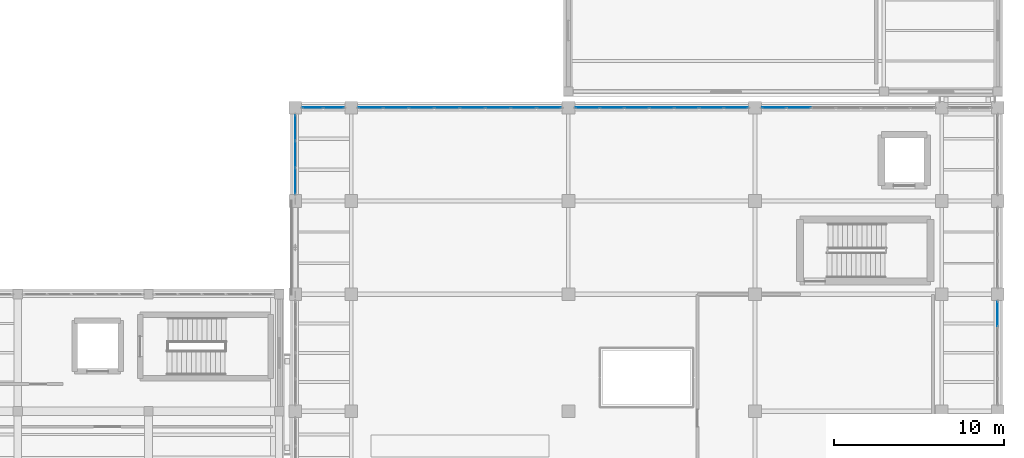
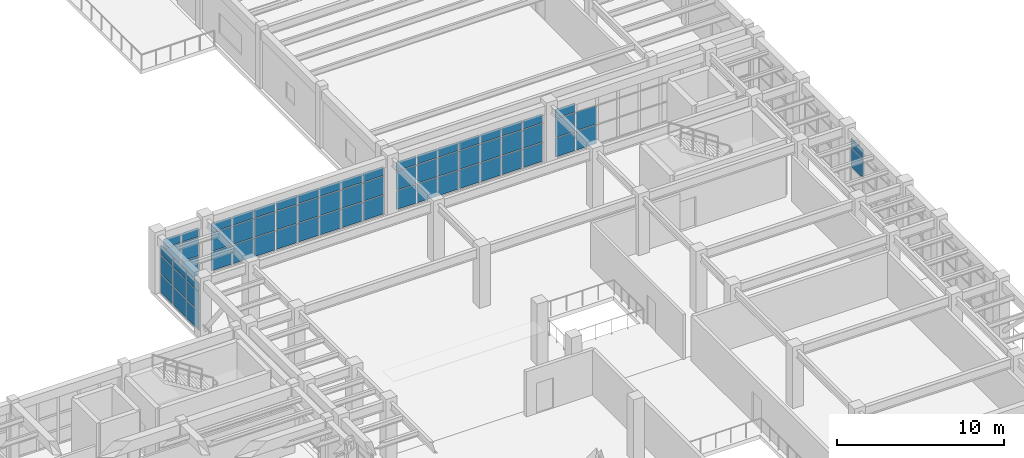
# One storey, part 61 of 85: 67 plates, 6 elements without a shape of their own.
"""IFC4 building model written with IfcOpenShell, lengths in metres."""

from ifc_helpers import new_model, si_unit, direction, frame, origin, origin_2d, place, context, subcontext, project, spatial, rectangle, extrude, material, layer, layer_set, type_object, element, aggregate, save


model = new_model("IFC4")

# Units and contexts
model_context = context("Model", 3, precision=1e-05, world=origin(), true_north=direction((0.0, 1.0)))
body_context = subcontext(model_context, "Body", "Model", "MODEL_VIEW")
ifc_project = project(units=[si_unit("LENGTHUNIT", "METRE"), si_unit("AREAUNIT", "SQUARE_METRE"), si_unit("VOLUMEUNIT", "CUBIC_METRE"), si_unit("PLANEANGLEUNIT", "RADIAN"), si_unit("MASSUNIT", "GRAM", prefix="KILO")], contexts=[model_context])

# Site, building, storey
site_placement = place(None, origin())
site = spatial("IfcSite", under=ifc_project, at=site_placement, CompositionType="ELEMENT")
building_placement = place(site_placement, origin())
building = spatial("IfcBuilding", under=site, at=building_placement, Name="Candilejo Ridge Gondola Terminal", CompositionType="ELEMENT")
storey_placement = place(building_placement, frame((0.0, 0.0, 4.5)))
storey = spatial("IfcBuildingStorey", under=building, at=storey_placement, Name="L01", CompositionType="ELEMENT", Elevation=4.5)

# Curtain wall, plates
ifc_material_1 = material(Name="Anodised aluminium AA 6063-T6", Category="aluminium")
ifc_layer_1 = layer(ifc_material_1, 0.169921875)
ifc_layer_set_1 = layer_set([ifc_layer_1], Name="ARC-CW-HALL-3800-615X359")
curtain_wall_type_1 = type_object("IfcCurtainWallType", Name="ARC-CW-HALL-3800-615X359", PredefinedType="NOTDEFINED", material=ifc_layer_set_1)
curtain_wall_1_placement = place(storey_placement, origin())
curtain_wall_1 = element("IfcCurtainWall", 1, at=curtain_wall_1_placement, inside=storey, type_object=curtain_wall_type_1, Name="Curtain wall V4 L01-118", PredefinedType="NOTDEFINED")
ifc_material_2 = material(Name="Low-E laminated double glazing 6+12A+6+1.52PVB+6 mm", Category="glass")
ifc_layer_2 = layer(ifc_material_2, 0.028076171875)
ifc_layer_set_2 = layer_set([ifc_layer_2], Name="ARC-CW-GLAZ-PANEL")
plate_type = type_object("IfcPlateType", Name="ARC-CW-GLAZ-PANEL", PredefinedType="CURTAIN_PANEL", material=ifc_layer_set_2)
plate_1_placement = place(storey_placement, frame((175.300048828125, 35.5400390625, 1.47998046875), z_axis=(0.0, 0.0, 1.0), x_axis=(0.0, 1.0, 0.0)))
plate_1 = element("IfcPlate", 2, at=plate_1_placement, type_object=plate_type, Name="CW-61X35 panel 4.2", PredefinedType="CURTAIN_PANEL", context=body_context, shape_type="SweptSolid", body=[
    extrude(rectangle(XDim=1.43994140625, YDim=0.028076171875, at=origin_2d()), origin(), (0.0, 0.0, 1.0), 1.340087890625),
])
plate_2_placement = place(storey_placement, frame((175.300048828125, 35.5400390625, 2.880126953125), z_axis=(0.0, 0.0, 1.0), x_axis=(0.0, 1.0, 0.0)))
plate_2 = element("IfcPlate", 3, at=plate_2_placement, type_object=plate_type, Name="CW-61X35 panel 4.3", PredefinedType="CURTAIN_PANEL", context=body_context, shape_type="SweptSolid", body=[
    extrude(rectangle(XDim=1.43994140625, YDim=0.028076171875, at=origin_2d()), origin(), (0.0, 0.0, 1.0), 0.64990234375),
])
aggregate(curtain_wall_1, [plate_1, plate_2])

ifc_material_3 = material(Name="Anodised aluminium AA 6063-T6", Category="aluminium")
ifc_layer_3 = layer(ifc_material_3, 0.169921875)
ifc_layer_set_3 = layer_set([ifc_layer_3], Name="ARC-CW-HALL-3800-475X359")
curtain_wall_type_2 = type_object("IfcCurtainWallType", Name="ARC-CW-HALL-3800-475X359", PredefinedType="NOTDEFINED", material=ifc_layer_set_3)
curtain_wall_2_placement = place(storey_placement, origin())
curtain_wall_2 = element("IfcCurtainWall", 4, at=curtain_wall_2_placement, inside=storey, type_object=curtain_wall_type_2, Name="Curtain wall V4 L01-120", PredefinedType="NOTDEFINED")
plate_3_placement = place(storey_placement, frame((133.89990234375, 43.3828125, 0.06005859375), z_axis=(0.0, 0.0, 1.0), x_axis=(0.0, 1.0, 0.0)))
plate_3 = element("IfcPlate", 5, at=plate_3_placement, type_object=plate_type, Name="CW-47X35 panel 1.1", PredefinedType="CURTAIN_PANEL", context=body_context, shape_type="SweptSolid", body=[
    extrude(rectangle(XDim=1.48583984375, YDim=0.028076171875, at=origin_2d()), origin(), (0.0, 0.0, 1.0), 1.360107421875),
])
plate_4_placement = place(storey_placement, frame((133.89990234375, 43.3828125, 1.47998046875), z_axis=(0.0, 0.0, 1.0), x_axis=(0.0, 1.0, 0.0)))
plate_4 = element("IfcPlate", 6, at=plate_4_placement, type_object=plate_type, Name="CW-47X35 panel 1.2", PredefinedType="CURTAIN_PANEL", context=body_context, shape_type="SweptSolid", body=[
    extrude(rectangle(XDim=1.48583984375, YDim=0.028076171875, at=origin_2d()), origin(), (0.0, 0.0, 1.0), 1.340087890625),
])
plate_5_placement = place(storey_placement, frame((133.89990234375, 43.3828125, 2.880126953125), z_axis=(0.0, 0.0, 1.0), x_axis=(0.0, 1.0, 0.0)))
plate_5 = element("IfcPlate", 7, at=plate_5_placement, type_object=plate_type, Name="CW-47X35 panel 1.3", PredefinedType="CURTAIN_PANEL", context=body_context, shape_type="SweptSolid", body=[
    extrude(rectangle(XDim=1.48583984375, YDim=0.028076171875, at=origin_2d()), origin(), (0.0, 0.0, 1.0), 0.64990234375),
])
plate_6_placement = place(storey_placement, frame((133.89990234375, 44.949951171875, 0.06005859375), z_axis=(0.0, 0.0, 1.0), x_axis=(0.0, 1.0, 0.0)))
plate_6 = element("IfcPlate", 8, at=plate_6_placement, type_object=plate_type, Name="CW-47X35 panel 2.1", PredefinedType="CURTAIN_PANEL", context=body_context, shape_type="SweptSolid", body=[
    extrude(rectangle(XDim=1.518310546875, YDim=0.028076171875, at=origin_2d()), origin(), (0.0, 0.0, 1.0), 1.360107421875),
])
plate_7_placement = place(storey_placement, frame((133.89990234375, 44.949951171875, 1.47998046875), z_axis=(0.0, 0.0, 1.0), x_axis=(0.0, 1.0, 0.0)))
plate_7 = element("IfcPlate", 9, at=plate_7_placement, type_object=plate_type, Name="CW-47X35 panel 2.2", PredefinedType="CURTAIN_PANEL", context=body_context, shape_type="SweptSolid", body=[
    extrude(rectangle(XDim=1.518310546875, YDim=0.028076171875, at=origin_2d()), origin(), (0.0, 0.0, 1.0), 1.340087890625),
])
plate_8_placement = place(storey_placement, frame((133.89990234375, 44.949951171875, 2.880126953125), z_axis=(0.0, 0.0, 1.0), x_axis=(0.0, 1.0, 0.0)))
plate_8 = element("IfcPlate", 10, at=plate_8_placement, type_object=plate_type, Name="CW-47X35 panel 2.3", PredefinedType="CURTAIN_PANEL", context=body_context, shape_type="SweptSolid", body=[
    extrude(rectangle(XDim=1.518310546875, YDim=0.028076171875, at=origin_2d()), origin(), (0.0, 0.0, 1.0), 0.64990234375),
])
plate_9_placement = place(storey_placement, frame((133.89990234375, 46.51708984375, 0.06005859375), z_axis=(0.0, 0.0, 1.0), x_axis=(0.0, 1.0, 0.0)))
plate_9 = element("IfcPlate", 11, at=plate_9_placement, type_object=plate_type, Name="CW-47X35 panel 3.1", PredefinedType="CURTAIN_PANEL", context=body_context, shape_type="SweptSolid", body=[
    extrude(rectangle(XDim=1.48583984375, YDim=0.028076171875, at=origin_2d()), origin(), (0.0, 0.0, 1.0), 1.360107421875),
])
plate_10_placement = place(storey_placement, frame((133.89990234375, 46.51708984375, 1.47998046875), z_axis=(0.0, 0.0, 1.0), x_axis=(0.0, 1.0, 0.0)))
plate_10 = element("IfcPlate", 12, at=plate_10_placement, type_object=plate_type, Name="CW-47X35 panel 3.2", PredefinedType="CURTAIN_PANEL", context=body_context, shape_type="SweptSolid", body=[
    extrude(rectangle(XDim=1.48583984375, YDim=0.028076171875, at=origin_2d()), origin(), (0.0, 0.0, 1.0), 1.340087890625),
])
plate_11_placement = place(storey_placement, frame((133.89990234375, 46.51708984375, 2.880126953125), z_axis=(0.0, 0.0, 1.0), x_axis=(0.0, 1.0, 0.0)))
plate_11 = element("IfcPlate", 13, at=plate_11_placement, type_object=plate_type, Name="CW-47X35 panel 3.3", PredefinedType="CURTAIN_PANEL", context=body_context, shape_type="SweptSolid", body=[
    extrude(rectangle(XDim=1.48583984375, YDim=0.028076171875, at=origin_2d()), origin(), (0.0, 0.0, 1.0), 0.64990234375),
])
aggregate(curtain_wall_2, [plate_3, plate_4, plate_5, plate_6, plate_7, plate_8, plate_9, plate_10, plate_11])

ifc_material_4 = material(Name="Anodised aluminium AA 6063-T6", Category="aluminium")
ifc_layer_4 = layer(ifc_material_4, 0.169921875)
ifc_layer_set_4 = layer_set([ifc_layer_4], Name="ARC-CW-HALL-3800-255X359")
curtain_wall_type_3 = type_object("IfcCurtainWallType", Name="ARC-CW-HALL-3800-255X359", PredefinedType="NOTDEFINED", material=ifc_layer_set_4)
curtain_wall_3_placement = place(storey_placement, origin())
curtain_wall_3 = element("IfcCurtainWall", 14, at=curtain_wall_3_placement, inside=storey, type_object=curtain_wall_type_3, Name="Curtain wall V4 L01-123", PredefinedType="NOTDEFINED")
plate_12_placement = place(storey_placement, frame((134.9287109375, 47.699951171875, 0.06005859375), z_axis=(0.0, 0.0, 1.0), x_axis=(1.0, 0.0, 0.0)))
plate_12 = element("IfcPlate", 15, at=plate_12_placement, type_object=plate_type, Name="CW-25X35 panel 1.1", PredefinedType="CURTAIN_PANEL", context=body_context, shape_type="SweptSolid", body=[
    extrude(rectangle(XDim=1.177490234375, YDim=0.028076171875, at=origin_2d()), origin(), (0.0, 0.0, 1.0), 1.360107421875),
])
plate_13_placement = place(storey_placement, frame((134.9287109375, 47.699951171875, 1.47998046875), z_axis=(0.0, 0.0, 1.0), x_axis=(1.0, 0.0, 0.0)))
plate_13 = element("IfcPlate", 16, at=plate_13_placement, type_object=plate_type, Name="CW-25X35 panel 1.2", PredefinedType="CURTAIN_PANEL", context=body_context, shape_type="SweptSolid", body=[
    extrude(rectangle(XDim=1.177490234375, YDim=0.028076171875, at=origin_2d()), origin(), (0.0, 0.0, 1.0), 1.340087890625),
])
plate_14_placement = place(storey_placement, frame((134.9287109375, 47.699951171875, 2.880126953125), z_axis=(0.0, 0.0, 1.0), x_axis=(1.0, 0.0, 0.0)))
plate_14 = element("IfcPlate", 17, at=plate_14_placement, type_object=plate_type, Name="CW-25X35 panel 1.3", PredefinedType="CURTAIN_PANEL", context=body_context, shape_type="SweptSolid", body=[
    extrude(rectangle(XDim=1.177490234375, YDim=0.028076171875, at=origin_2d()), origin(), (0.0, 0.0, 1.0), 0.64990234375),
])
plate_15_placement = place(storey_placement, frame((136.171142578125, 47.699951171875, 0.06005859375), z_axis=(0.0, 0.0, 1.0), x_axis=(1.0, 0.0, 0.0)))
plate_15 = element("IfcPlate", 18, at=plate_15_placement, type_object=plate_type, Name="CW-25X35 panel 2.1", PredefinedType="CURTAIN_PANEL", context=body_context, shape_type="SweptSolid", body=[
    extrude(rectangle(XDim=1.177490234375, YDim=0.028076171875, at=origin_2d()), origin(), (0.0, 0.0, 1.0), 1.360107421875),
])
plate_16_placement = place(storey_placement, frame((136.171142578125, 47.699951171875, 1.47998046875), z_axis=(0.0, 0.0, 1.0), x_axis=(1.0, 0.0, 0.0)))
plate_16 = element("IfcPlate", 19, at=plate_16_placement, type_object=plate_type, Name="CW-25X35 panel 2.2", PredefinedType="CURTAIN_PANEL", context=body_context, shape_type="SweptSolid", body=[
    extrude(rectangle(XDim=1.177490234375, YDim=0.028076171875, at=origin_2d()), origin(), (0.0, 0.0, 1.0), 1.340087890625),
])
plate_17_placement = place(storey_placement, frame((136.171142578125, 47.699951171875, 2.880126953125), z_axis=(0.0, 0.0, 1.0), x_axis=(1.0, 0.0, 0.0)))
plate_17 = element("IfcPlate", 20, at=plate_17_placement, type_object=plate_type, Name="CW-25X35 panel 2.3", PredefinedType="CURTAIN_PANEL", context=body_context, shape_type="SweptSolid", body=[
    extrude(rectangle(XDim=1.177490234375, YDim=0.028076171875, at=origin_2d()), origin(), (0.0, 0.0, 1.0), 0.64990234375),
])
aggregate(curtain_wall_3, [plate_12, plate_13, plate_14, plate_15, plate_16, plate_17])

ifc_material_5 = material(Name="Anodised aluminium AA 6063-T6", Category="aluminium")
ifc_layer_5 = layer(ifc_material_5, 0.169921875)
ifc_layer_set_5 = layer_set([ifc_layer_5], Name="ARC-CW-HALL-3800-1205X359")
curtain_wall_type_4 = type_object("IfcCurtainWallType", Name="ARC-CW-HALL-3800-1205X359", PredefinedType="NOTDEFINED", material=ifc_layer_set_5)
curtain_wall_4_placement = place(storey_placement, origin())
curtain_wall_4 = element("IfcCurtainWall", 21, at=curtain_wall_4_placement, inside=storey, type_object=curtain_wall_type_4, Name="Curtain wall V4 L01-125", PredefinedType="NOTDEFINED")
plate_18_placement = place(storey_placement, frame((138.344482421875, 47.699951171875, 0.06005859375), z_axis=(0.0, 0.0, 1.0), x_axis=(1.0, 0.0, 0.0)))
plate_18 = element("IfcPlate", 22, at=plate_18_placement, type_object=plate_type, Name="CW-120X35 panel 1.1", PredefinedType="CURTAIN_PANEL", context=body_context, shape_type="SweptSolid", body=[
    extrude(rectangle(XDim=1.40869140625, YDim=0.028076171875, at=origin_2d()), origin(), (0.0, 0.0, 1.0), 1.360107421875),
])
plate_19_placement = place(storey_placement, frame((138.344482421875, 47.699951171875, 1.47998046875), z_axis=(0.0, 0.0, 1.0), x_axis=(1.0, 0.0, 0.0)))
plate_19 = element("IfcPlate", 23, at=plate_19_placement, type_object=plate_type, Name="CW-120X35 panel 1.2", PredefinedType="CURTAIN_PANEL", context=body_context, shape_type="SweptSolid", body=[
    extrude(rectangle(XDim=1.40869140625, YDim=0.028076171875, at=origin_2d()), origin(), (0.0, 0.0, 1.0), 1.340087890625),
])
plate_20_placement = place(storey_placement, frame((138.344482421875, 47.699951171875, 2.880126953125), z_axis=(0.0, 0.0, 1.0), x_axis=(1.0, 0.0, 0.0)))
plate_20 = element("IfcPlate", 24, at=plate_20_placement, type_object=plate_type, Name="CW-120X35 panel 1.3", PredefinedType="CURTAIN_PANEL", context=body_context, shape_type="SweptSolid", body=[
    extrude(rectangle(XDim=1.40869140625, YDim=0.028076171875, at=origin_2d()), origin(), (0.0, 0.0, 1.0), 0.64990234375),
])
plate_21_placement = place(storey_placement, frame((139.83447265625, 47.699951171875, 0.06005859375), z_axis=(0.0, 0.0, 1.0), x_axis=(1.0, 0.0, 0.0)))
plate_21 = element("IfcPlate", 25, at=plate_21_placement, type_object=plate_type, Name="CW-120X35 panel 2.1", PredefinedType="CURTAIN_PANEL", context=body_context, shape_type="SweptSolid", body=[
    extrude(rectangle(XDim=1.441162109375, YDim=0.028076171875, at=origin_2d()), origin(), (0.0, 0.0, 1.0), 1.360107421875),
])
plate_22_placement = place(storey_placement, frame((139.83447265625, 47.699951171875, 1.47998046875), z_axis=(0.0, 0.0, 1.0), x_axis=(1.0, 0.0, 0.0)))
plate_22 = element("IfcPlate", 26, at=plate_22_placement, type_object=plate_type, Name="CW-120X35 panel 2.2", PredefinedType="CURTAIN_PANEL", context=body_context, shape_type="SweptSolid", body=[
    extrude(rectangle(XDim=1.441162109375, YDim=0.028076171875, at=origin_2d()), origin(), (0.0, 0.0, 1.0), 1.340087890625),
])
plate_23_placement = place(storey_placement, frame((139.83447265625, 47.699951171875, 2.880126953125), z_axis=(0.0, 0.0, 1.0), x_axis=(1.0, 0.0, 0.0)))
plate_23 = element("IfcPlate", 27, at=plate_23_placement, type_object=plate_type, Name="CW-120X35 panel 2.3", PredefinedType="CURTAIN_PANEL", context=body_context, shape_type="SweptSolid", body=[
    extrude(rectangle(XDim=1.441162109375, YDim=0.028076171875, at=origin_2d()), origin(), (0.0, 0.0, 1.0), 0.64990234375),
])
plate_24_placement = place(storey_placement, frame((141.340576171875, 47.699951171875, 0.06005859375), z_axis=(0.0, 0.0, 1.0), x_axis=(1.0, 0.0, 0.0)))
plate_24 = element("IfcPlate", 28, at=plate_24_placement, type_object=plate_type, Name="CW-120X35 panel 3.1", PredefinedType="CURTAIN_PANEL", context=body_context, shape_type="SweptSolid", body=[
    extrude(rectangle(XDim=1.441162109375, YDim=0.028076171875, at=origin_2d()), origin(), (0.0, 0.0, 1.0), 1.360107421875),
])
plate_25_placement = place(storey_placement, frame((141.340576171875, 47.699951171875, 1.47998046875), z_axis=(0.0, 0.0, 1.0), x_axis=(1.0, 0.0, 0.0)))
plate_25 = element("IfcPlate", 29, at=plate_25_placement, type_object=plate_type, Name="CW-120X35 panel 3.2", PredefinedType="CURTAIN_PANEL", context=body_context, shape_type="SweptSolid", body=[
    extrude(rectangle(XDim=1.441162109375, YDim=0.028076171875, at=origin_2d()), origin(), (0.0, 0.0, 1.0), 1.340087890625),
])
plate_26_placement = place(storey_placement, frame((141.340576171875, 47.699951171875, 2.880126953125), z_axis=(0.0, 0.0, 1.0), x_axis=(1.0, 0.0, 0.0)))
plate_26 = element("IfcPlate", 30, at=plate_26_placement, type_object=plate_type, Name="CW-120X35 panel 3.3", PredefinedType="CURTAIN_PANEL", context=body_context, shape_type="SweptSolid", body=[
    extrude(rectangle(XDim=1.441162109375, YDim=0.028076171875, at=origin_2d()), origin(), (0.0, 0.0, 1.0), 0.64990234375),
])
plate_27_placement = place(storey_placement, frame((142.846923828125, 47.699951171875, 0.06005859375), z_axis=(0.0, 0.0, 1.0), x_axis=(1.0, 0.0, 0.0)))
plate_27 = element("IfcPlate", 31, at=plate_27_placement, type_object=plate_type, Name="CW-120X35 panel 4.1", PredefinedType="CURTAIN_PANEL", context=body_context, shape_type="SweptSolid", body=[
    extrude(rectangle(XDim=1.441162109375, YDim=0.028076171875, at=origin_2d()), origin(), (0.0, 0.0, 1.0), 1.360107421875),
])
plate_28_placement = place(storey_placement, frame((142.846923828125, 47.699951171875, 1.47998046875), z_axis=(0.0, 0.0, 1.0), x_axis=(1.0, 0.0, 0.0)))
plate_28 = element("IfcPlate", 32, at=plate_28_placement, type_object=plate_type, Name="CW-120X35 panel 4.2", PredefinedType="CURTAIN_PANEL", context=body_context, shape_type="SweptSolid", body=[
    extrude(rectangle(XDim=1.441162109375, YDim=0.028076171875, at=origin_2d()), origin(), (0.0, 0.0, 1.0), 1.340087890625),
])
plate_29_placement = place(storey_placement, frame((142.846923828125, 47.699951171875, 2.880126953125), z_axis=(0.0, 0.0, 1.0), x_axis=(1.0, 0.0, 0.0)))
plate_29 = element("IfcPlate", 33, at=plate_29_placement, type_object=plate_type, Name="CW-120X35 panel 4.3", PredefinedType="CURTAIN_PANEL", context=body_context, shape_type="SweptSolid", body=[
    extrude(rectangle(XDim=1.441162109375, YDim=0.028076171875, at=origin_2d()), origin(), (0.0, 0.0, 1.0), 0.64990234375),
])
plate_30_placement = place(storey_placement, frame((144.35302734375, 47.699951171875, 0.06005859375), z_axis=(0.0, 0.0, 1.0), x_axis=(1.0, 0.0, 0.0)))
plate_30 = element("IfcPlate", 34, at=plate_30_placement, type_object=plate_type, Name="CW-120X35 panel 5.1", PredefinedType="CURTAIN_PANEL", context=body_context, shape_type="SweptSolid", body=[
    extrude(rectangle(XDim=1.441162109375, YDim=0.028076171875, at=origin_2d()), origin(), (0.0, 0.0, 1.0), 1.360107421875),
])
plate_31_placement = place(storey_placement, frame((144.35302734375, 47.699951171875, 1.47998046875), z_axis=(0.0, 0.0, 1.0), x_axis=(1.0, 0.0, 0.0)))
plate_31 = element("IfcPlate", 35, at=plate_31_placement, type_object=plate_type, Name="CW-120X35 panel 5.2", PredefinedType="CURTAIN_PANEL", context=body_context, shape_type="SweptSolid", body=[
    extrude(rectangle(XDim=1.441162109375, YDim=0.028076171875, at=origin_2d()), origin(), (0.0, 0.0, 1.0), 1.340087890625),
])
plate_32_placement = place(storey_placement, frame((144.35302734375, 47.699951171875, 2.880126953125), z_axis=(0.0, 0.0, 1.0), x_axis=(1.0, 0.0, 0.0)))
plate_32 = element("IfcPlate", 36, at=plate_32_placement, type_object=plate_type, Name="CW-120X35 panel 5.3", PredefinedType="CURTAIN_PANEL", context=body_context, shape_type="SweptSolid", body=[
    extrude(rectangle(XDim=1.441162109375, YDim=0.028076171875, at=origin_2d()), origin(), (0.0, 0.0, 1.0), 0.64990234375),
])
plate_33_placement = place(storey_placement, frame((145.859375, 47.699951171875, 0.06005859375), z_axis=(0.0, 0.0, 1.0), x_axis=(1.0, 0.0, 0.0)))
plate_33 = element("IfcPlate", 37, at=plate_33_placement, type_object=plate_type, Name="CW-120X35 panel 6.1", PredefinedType="CURTAIN_PANEL", context=body_context, shape_type="SweptSolid", body=[
    extrude(rectangle(XDim=1.441162109375, YDim=0.028076171875, at=origin_2d()), origin(), (0.0, 0.0, 1.0), 1.360107421875),
])
plate_34_placement = place(storey_placement, frame((145.859375, 47.699951171875, 1.47998046875), z_axis=(0.0, 0.0, 1.0), x_axis=(1.0, 0.0, 0.0)))
plate_34 = element("IfcPlate", 38, at=plate_34_placement, type_object=plate_type, Name="CW-120X35 panel 6.2", PredefinedType="CURTAIN_PANEL", context=body_context, shape_type="SweptSolid", body=[
    extrude(rectangle(XDim=1.441162109375, YDim=0.028076171875, at=origin_2d()), origin(), (0.0, 0.0, 1.0), 1.340087890625),
])
plate_35_placement = place(storey_placement, frame((145.859375, 47.699951171875, 2.880126953125), z_axis=(0.0, 0.0, 1.0), x_axis=(1.0, 0.0, 0.0)))
plate_35 = element("IfcPlate", 39, at=plate_35_placement, type_object=plate_type, Name="CW-120X35 panel 6.3", PredefinedType="CURTAIN_PANEL", context=body_context, shape_type="SweptSolid", body=[
    extrude(rectangle(XDim=1.441162109375, YDim=0.028076171875, at=origin_2d()), origin(), (0.0, 0.0, 1.0), 0.64990234375),
])
plate_36_placement = place(storey_placement, frame((147.36572265625, 47.699951171875, 0.06005859375), z_axis=(0.0, 0.0, 1.0), x_axis=(1.0, 0.0, 0.0)))
plate_36 = element("IfcPlate", 40, at=plate_36_placement, type_object=plate_type, Name="CW-120X35 panel 7.1", PredefinedType="CURTAIN_PANEL", context=body_context, shape_type="SweptSolid", body=[
    extrude(rectangle(XDim=1.441162109375, YDim=0.028076171875, at=origin_2d()), origin(), (0.0, 0.0, 1.0), 1.360107421875),
])
plate_37_placement = place(storey_placement, frame((147.36572265625, 47.699951171875, 1.47998046875), z_axis=(0.0, 0.0, 1.0), x_axis=(1.0, 0.0, 0.0)))
plate_37 = element("IfcPlate", 41, at=plate_37_placement, type_object=plate_type, Name="CW-120X35 panel 7.2", PredefinedType="CURTAIN_PANEL", context=body_context, shape_type="SweptSolid", body=[
    extrude(rectangle(XDim=1.441162109375, YDim=0.028076171875, at=origin_2d()), origin(), (0.0, 0.0, 1.0), 1.340087890625),
])
plate_38_placement = place(storey_placement, frame((147.36572265625, 47.699951171875, 2.880126953125), z_axis=(0.0, 0.0, 1.0), x_axis=(1.0, 0.0, 0.0)))
plate_38 = element("IfcPlate", 42, at=plate_38_placement, type_object=plate_type, Name="CW-120X35 panel 7.3", PredefinedType="CURTAIN_PANEL", context=body_context, shape_type="SweptSolid", body=[
    extrude(rectangle(XDim=1.441162109375, YDim=0.028076171875, at=origin_2d()), origin(), (0.0, 0.0, 1.0), 0.64990234375),
])
plate_39_placement = place(storey_placement, frame((148.855712890625, 47.699951171875, 0.06005859375), z_axis=(0.0, 0.0, 1.0), x_axis=(1.0, 0.0, 0.0)))
plate_39 = element("IfcPlate", 43, at=plate_39_placement, type_object=plate_type, Name="CW-120X35 panel 8.1", PredefinedType="CURTAIN_PANEL", context=body_context, shape_type="SweptSolid", body=[
    extrude(rectangle(XDim=1.40869140625, YDim=0.028076171875, at=origin_2d()), origin(), (0.0, 0.0, 1.0), 1.360107421875),
])
plate_40_placement = place(storey_placement, frame((148.855712890625, 47.699951171875, 1.47998046875), z_axis=(0.0, 0.0, 1.0), x_axis=(1.0, 0.0, 0.0)))
plate_40 = element("IfcPlate", 44, at=plate_40_placement, type_object=plate_type, Name="CW-120X35 panel 8.2", PredefinedType="CURTAIN_PANEL", context=body_context, shape_type="SweptSolid", body=[
    extrude(rectangle(XDim=1.40869140625, YDim=0.028076171875, at=origin_2d()), origin(), (0.0, 0.0, 1.0), 1.340087890625),
])
plate_41_placement = place(storey_placement, frame((148.855712890625, 47.699951171875, 2.880126953125), z_axis=(0.0, 0.0, 1.0), x_axis=(1.0, 0.0, 0.0)))
plate_41 = element("IfcPlate", 45, at=plate_41_placement, type_object=plate_type, Name="CW-120X35 panel 8.3", PredefinedType="CURTAIN_PANEL", context=body_context, shape_type="SweptSolid", body=[
    extrude(rectangle(XDim=1.40869140625, YDim=0.028076171875, at=origin_2d()), origin(), (0.0, 0.0, 1.0), 0.64990234375),
])
aggregate(curtain_wall_4, [plate_18, plate_19, plate_20, plate_21, plate_22, plate_23, plate_24, plate_25, plate_26, plate_27, plate_28, plate_29, plate_30, plate_31, plate_32, plate_33, plate_34, plate_35, plate_36, plate_37, plate_38, plate_39, plate_40, plate_41])

ifc_material_6 = material(Name="Anodised aluminium AA 6063-T6", Category="aluminium")
ifc_layer_6 = layer(ifc_material_6, 0.169921875)
ifc_layer_set_6 = layer_set([ifc_layer_6], Name="ARC-CW-HALL-3800-1025X359")
curtain_wall_type_5 = type_object("IfcCurtainWallType", Name="ARC-CW-HALL-3800-1025X359", PredefinedType="NOTDEFINED", material=ifc_layer_set_6)
curtain_wall_5_placement = place(storey_placement, origin())
curtain_wall_5 = element("IfcCurtainWall", 46, at=curtain_wall_5_placement, inside=storey, type_object=curtain_wall_type_5, Name="Curtain wall V4 L01-127", PredefinedType="NOTDEFINED")
plate_42_placement = place(storey_placement, frame((151.123291015625, 47.699951171875, 0.06005859375), z_axis=(0.0, 0.0, 1.0), x_axis=(1.0, 0.0, 0.0)))
plate_42 = element("IfcPlate", 47, at=plate_42_placement, type_object=plate_type, Name="CW-102X35 panel 1.1", PredefinedType="CURTAIN_PANEL", context=body_context, shape_type="SweptSolid", body=[
    extrude(rectangle(XDim=1.36669921875, YDim=0.028076171875, at=origin_2d()), origin(), (0.0, 0.0, 1.0), 1.360107421875),
])
plate_43_placement = place(storey_placement, frame((151.123291015625, 47.699951171875, 1.47998046875), z_axis=(0.0, 0.0, 1.0), x_axis=(1.0, 0.0, 0.0)))
plate_43 = element("IfcPlate", 48, at=plate_43_placement, type_object=plate_type, Name="CW-102X35 panel 1.2", PredefinedType="CURTAIN_PANEL", context=body_context, shape_type="SweptSolid", body=[
    extrude(rectangle(XDim=1.36669921875, YDim=0.028076171875, at=origin_2d()), origin(), (0.0, 0.0, 1.0), 1.340087890625),
])
plate_44_placement = place(storey_placement, frame((151.123291015625, 47.699951171875, 2.880126953125), z_axis=(0.0, 0.0, 1.0), x_axis=(1.0, 0.0, 0.0)))
plate_44 = element("IfcPlate", 49, at=plate_44_placement, type_object=plate_type, Name="CW-102X35 panel 1.3", PredefinedType="CURTAIN_PANEL", context=body_context, shape_type="SweptSolid", body=[
    extrude(rectangle(XDim=1.36669921875, YDim=0.028076171875, at=origin_2d()), origin(), (0.0, 0.0, 1.0), 0.64990234375),
])
plate_45_placement = place(storey_placement, frame((152.571533203125, 47.699951171875, 0.06005859375), z_axis=(0.0, 0.0, 1.0), x_axis=(1.0, 0.0, 0.0)))
plate_45 = element("IfcPlate", 50, at=plate_45_placement, type_object=plate_type, Name="CW-102X35 panel 2.1", PredefinedType="CURTAIN_PANEL", context=body_context, shape_type="SweptSolid", body=[
    extrude(rectangle(XDim=1.399169921875, YDim=0.028076171875, at=origin_2d()), origin(), (0.0, 0.0, 1.0), 1.360107421875),
])
plate_46_placement = place(storey_placement, frame((152.571533203125, 47.699951171875, 1.47998046875), z_axis=(0.0, 0.0, 1.0), x_axis=(1.0, 0.0, 0.0)))
plate_46 = element("IfcPlate", 51, at=plate_46_placement, type_object=plate_type, Name="CW-102X35 panel 2.2", PredefinedType="CURTAIN_PANEL", context=body_context, shape_type="SweptSolid", body=[
    extrude(rectangle(XDim=1.399169921875, YDim=0.028076171875, at=origin_2d()), origin(), (0.0, 0.0, 1.0), 1.340087890625),
])
plate_47_placement = place(storey_placement, frame((152.571533203125, 47.699951171875, 2.880126953125), z_axis=(0.0, 0.0, 1.0), x_axis=(1.0, 0.0, 0.0)))
plate_47 = element("IfcPlate", 52, at=plate_47_placement, type_object=plate_type, Name="CW-102X35 panel 2.3", PredefinedType="CURTAIN_PANEL", context=body_context, shape_type="SweptSolid", body=[
    extrude(rectangle(XDim=1.399169921875, YDim=0.028076171875, at=origin_2d()), origin(), (0.0, 0.0, 1.0), 0.64990234375),
])
plate_48_placement = place(storey_placement, frame((154.03564453125, 47.699951171875, 0.06005859375), z_axis=(0.0, 0.0, 1.0), x_axis=(1.0, 0.0, 0.0)))
plate_48 = element("IfcPlate", 53, at=plate_48_placement, type_object=plate_type, Name="CW-102X35 panel 3.1", PredefinedType="CURTAIN_PANEL", context=body_context, shape_type="SweptSolid", body=[
    extrude(rectangle(XDim=1.399169921875, YDim=0.028076171875, at=origin_2d()), origin(), (0.0, 0.0, 1.0), 1.360107421875),
])
plate_49_placement = place(storey_placement, frame((154.03564453125, 47.699951171875, 1.47998046875), z_axis=(0.0, 0.0, 1.0), x_axis=(1.0, 0.0, 0.0)))
plate_49 = element("IfcPlate", 54, at=plate_49_placement, type_object=plate_type, Name="CW-102X35 panel 3.2", PredefinedType="CURTAIN_PANEL", context=body_context, shape_type="SweptSolid", body=[
    extrude(rectangle(XDim=1.399169921875, YDim=0.028076171875, at=origin_2d()), origin(), (0.0, 0.0, 1.0), 1.340087890625),
])
plate_50_placement = place(storey_placement, frame((154.03564453125, 47.699951171875, 2.880126953125), z_axis=(0.0, 0.0, 1.0), x_axis=(1.0, 0.0, 0.0)))
plate_50 = element("IfcPlate", 55, at=plate_50_placement, type_object=plate_type, Name="CW-102X35 panel 3.3", PredefinedType="CURTAIN_PANEL", context=body_context, shape_type="SweptSolid", body=[
    extrude(rectangle(XDim=1.399169921875, YDim=0.028076171875, at=origin_2d()), origin(), (0.0, 0.0, 1.0), 0.64990234375),
])
plate_51_placement = place(storey_placement, frame((155.5, 47.699951171875, 0.06005859375), z_axis=(0.0, 0.0, 1.0), x_axis=(1.0, 0.0, 0.0)))
plate_51 = element("IfcPlate", 56, at=plate_51_placement, type_object=plate_type, Name="CW-102X35 panel 4.1", PredefinedType="CURTAIN_PANEL", context=body_context, shape_type="SweptSolid", body=[
    extrude(rectangle(XDim=1.399169921875, YDim=0.028076171875, at=origin_2d()), origin(), (0.0, 0.0, 1.0), 1.360107421875),
])
plate_52_placement = place(storey_placement, frame((155.5, 47.699951171875, 1.47998046875), z_axis=(0.0, 0.0, 1.0), x_axis=(1.0, 0.0, 0.0)))
plate_52 = element("IfcPlate", 57, at=plate_52_placement, type_object=plate_type, Name="CW-102X35 panel 4.2", PredefinedType="CURTAIN_PANEL", context=body_context, shape_type="SweptSolid", body=[
    extrude(rectangle(XDim=1.399169921875, YDim=0.028076171875, at=origin_2d()), origin(), (0.0, 0.0, 1.0), 1.340087890625),
])
plate_53_placement = place(storey_placement, frame((155.5, 47.699951171875, 2.880126953125), z_axis=(0.0, 0.0, 1.0), x_axis=(1.0, 0.0, 0.0)))
plate_53 = element("IfcPlate", 58, at=plate_53_placement, type_object=plate_type, Name="CW-102X35 panel 4.3", PredefinedType="CURTAIN_PANEL", context=body_context, shape_type="SweptSolid", body=[
    extrude(rectangle(XDim=1.399169921875, YDim=0.028076171875, at=origin_2d()), origin(), (0.0, 0.0, 1.0), 0.64990234375),
])
plate_54_placement = place(storey_placement, frame((156.96435546875, 47.699951171875, 0.06005859375), z_axis=(0.0, 0.0, 1.0), x_axis=(1.0, 0.0, 0.0)))
plate_54 = element("IfcPlate", 59, at=plate_54_placement, type_object=plate_type, Name="CW-102X35 panel 5.1", PredefinedType="CURTAIN_PANEL", context=body_context, shape_type="SweptSolid", body=[
    extrude(rectangle(XDim=1.399169921875, YDim=0.028076171875, at=origin_2d()), origin(), (0.0, 0.0, 1.0), 1.360107421875),
])
plate_55_placement = place(storey_placement, frame((156.96435546875, 47.699951171875, 1.47998046875), z_axis=(0.0, 0.0, 1.0), x_axis=(1.0, 0.0, 0.0)))
plate_55 = element("IfcPlate", 60, at=plate_55_placement, type_object=plate_type, Name="CW-102X35 panel 5.2", PredefinedType="CURTAIN_PANEL", context=body_context, shape_type="SweptSolid", body=[
    extrude(rectangle(XDim=1.399169921875, YDim=0.028076171875, at=origin_2d()), origin(), (0.0, 0.0, 1.0), 1.340087890625),
])
plate_56_placement = place(storey_placement, frame((156.96435546875, 47.699951171875, 2.880126953125), z_axis=(0.0, 0.0, 1.0), x_axis=(1.0, 0.0, 0.0)))
plate_56 = element("IfcPlate", 61, at=plate_56_placement, type_object=plate_type, Name="CW-102X35 panel 5.3", PredefinedType="CURTAIN_PANEL", context=body_context, shape_type="SweptSolid", body=[
    extrude(rectangle(XDim=1.399169921875, YDim=0.028076171875, at=origin_2d()), origin(), (0.0, 0.0, 1.0), 0.64990234375),
])
plate_57_placement = place(storey_placement, frame((158.428466796875, 47.699951171875, 0.06005859375), z_axis=(0.0, 0.0, 1.0), x_axis=(1.0, 0.0, 0.0)))
plate_57 = element("IfcPlate", 62, at=plate_57_placement, type_object=plate_type, Name="CW-102X35 panel 6.1", PredefinedType="CURTAIN_PANEL", context=body_context, shape_type="SweptSolid", body=[
    extrude(rectangle(XDim=1.399169921875, YDim=0.028076171875, at=origin_2d()), origin(), (0.0, 0.0, 1.0), 1.360107421875),
])
plate_58_placement = place(storey_placement, frame((158.428466796875, 47.699951171875, 1.47998046875), z_axis=(0.0, 0.0, 1.0), x_axis=(1.0, 0.0, 0.0)))
plate_58 = element("IfcPlate", 63, at=plate_58_placement, type_object=plate_type, Name="CW-102X35 panel 6.2", PredefinedType="CURTAIN_PANEL", context=body_context, shape_type="SweptSolid", body=[
    extrude(rectangle(XDim=1.399169921875, YDim=0.028076171875, at=origin_2d()), origin(), (0.0, 0.0, 1.0), 1.340087890625),
])
plate_59_placement = place(storey_placement, frame((158.428466796875, 47.699951171875, 2.880126953125), z_axis=(0.0, 0.0, 1.0), x_axis=(1.0, 0.0, 0.0)))
plate_59 = element("IfcPlate", 64, at=plate_59_placement, type_object=plate_type, Name="CW-102X35 panel 6.3", PredefinedType="CURTAIN_PANEL", context=body_context, shape_type="SweptSolid", body=[
    extrude(rectangle(XDim=1.399169921875, YDim=0.028076171875, at=origin_2d()), origin(), (0.0, 0.0, 1.0), 0.64990234375),
])
plate_60_placement = place(storey_placement, frame((159.876708984375, 47.699951171875, 0.06005859375), z_axis=(0.0, 0.0, 1.0), x_axis=(1.0, 0.0, 0.0)))
plate_60 = element("IfcPlate", 65, at=plate_60_placement, type_object=plate_type, Name="CW-102X35 panel 7.1", PredefinedType="CURTAIN_PANEL", context=body_context, shape_type="SweptSolid", body=[
    extrude(rectangle(XDim=1.36669921875, YDim=0.028076171875, at=origin_2d()), origin(), (0.0, 0.0, 1.0), 1.360107421875),
])
plate_61_placement = place(storey_placement, frame((159.876708984375, 47.699951171875, 1.47998046875), z_axis=(0.0, 0.0, 1.0), x_axis=(1.0, 0.0, 0.0)))
plate_61 = element("IfcPlate", 66, at=plate_61_placement, type_object=plate_type, Name="CW-102X35 panel 7.2", PredefinedType="CURTAIN_PANEL", context=body_context, shape_type="SweptSolid", body=[
    extrude(rectangle(XDim=1.36669921875, YDim=0.028076171875, at=origin_2d()), origin(), (0.0, 0.0, 1.0), 1.340087890625),
])
plate_62_placement = place(storey_placement, frame((159.876708984375, 47.699951171875, 2.880126953125), z_axis=(0.0, 0.0, 1.0), x_axis=(1.0, 0.0, 0.0)))
plate_62 = element("IfcPlate", 67, at=plate_62_placement, type_object=plate_type, Name="CW-102X35 panel 7.3", PredefinedType="CURTAIN_PANEL", context=body_context, shape_type="SweptSolid", body=[
    extrude(rectangle(XDim=1.36669921875, YDim=0.028076171875, at=origin_2d()), origin(), (0.0, 0.0, 1.0), 0.64990234375),
])
aggregate(curtain_wall_5, [plate_42, plate_43, plate_44, plate_45, plate_46, plate_47, plate_48, plate_49, plate_50, plate_51, plate_52, plate_53, plate_54, plate_55, plate_56, plate_57, plate_58, plate_59, plate_60, plate_61, plate_62])

curtain_wall_6_placement = place(storey_placement, origin())
curtain_wall_6 = element("IfcCurtainWall", 68, at=curtain_wall_6_placement, inside=storey, type_object=curtain_wall_type_5, Name="Curtain wall V4 L01-129", PredefinedType="NOTDEFINED")
plate_63_placement = place(storey_placement, frame((162.123291015625, 47.699951171875, 0.06005859375), z_axis=(0.0, 0.0, 1.0), x_axis=(1.0, 0.0, 0.0)))
plate_63 = element("IfcPlate", 69, at=plate_63_placement, type_object=plate_type, Name="CW-102X35 panel 1.1", PredefinedType="CURTAIN_PANEL", context=body_context, shape_type="SweptSolid", body=[
    extrude(rectangle(XDim=1.36669921875, YDim=0.028076171875, at=origin_2d()), origin(), (0.0, 0.0, 1.0), 1.360107421875),
])
plate_64_placement = place(storey_placement, frame((162.123291015625, 47.699951171875, 1.47998046875), z_axis=(0.0, 0.0, 1.0), x_axis=(1.0, 0.0, 0.0)))
plate_64 = element("IfcPlate", 70, at=plate_64_placement, type_object=plate_type, Name="CW-102X35 panel 1.2", PredefinedType="CURTAIN_PANEL", context=body_context, shape_type="SweptSolid", body=[
    extrude(rectangle(XDim=1.36669921875, YDim=0.028076171875, at=origin_2d()), origin(), (0.0, 0.0, 1.0), 1.340087890625),
])
plate_65_placement = place(storey_placement, frame((162.123291015625, 47.699951171875, 2.880126953125), z_axis=(0.0, 0.0, 1.0), x_axis=(1.0, 0.0, 0.0)))
plate_65 = element("IfcPlate", 71, at=plate_65_placement, type_object=plate_type, Name="CW-102X35 panel 1.3", PredefinedType="CURTAIN_PANEL", context=body_context, shape_type="SweptSolid", body=[
    extrude(rectangle(XDim=1.36669921875, YDim=0.028076171875, at=origin_2d()), origin(), (0.0, 0.0, 1.0), 0.64990234375),
])
plate_66_placement = place(storey_placement, frame((163.571533203125, 47.699951171875, 0.06005859375), z_axis=(0.0, 0.0, 1.0), x_axis=(1.0, 0.0, 0.0)))
plate_66 = element("IfcPlate", 72, at=plate_66_placement, type_object=plate_type, Name="CW-102X35 panel 2.1", PredefinedType="CURTAIN_PANEL", context=body_context, shape_type="SweptSolid", body=[
    extrude(rectangle(XDim=1.399169921875, YDim=0.028076171875, at=origin_2d()), origin(), (0.0, 0.0, 1.0), 1.360107421875),
])
plate_67_placement = place(storey_placement, frame((163.571533203125, 47.699951171875, 1.47998046875), z_axis=(0.0, 0.0, 1.0), x_axis=(1.0, 0.0, 0.0)))
plate_67 = element("IfcPlate", 73, at=plate_67_placement, type_object=plate_type, Name="CW-102X35 panel 2.2", PredefinedType="CURTAIN_PANEL", context=body_context, shape_type="SweptSolid", body=[
    extrude(rectangle(XDim=1.399169921875, YDim=0.028076171875, at=origin_2d()), origin(), (0.0, 0.0, 1.0), 1.340087890625),
])
aggregate(curtain_wall_6, [plate_63, plate_64, plate_65, plate_66, plate_67])

save(model, "model.ifc")
